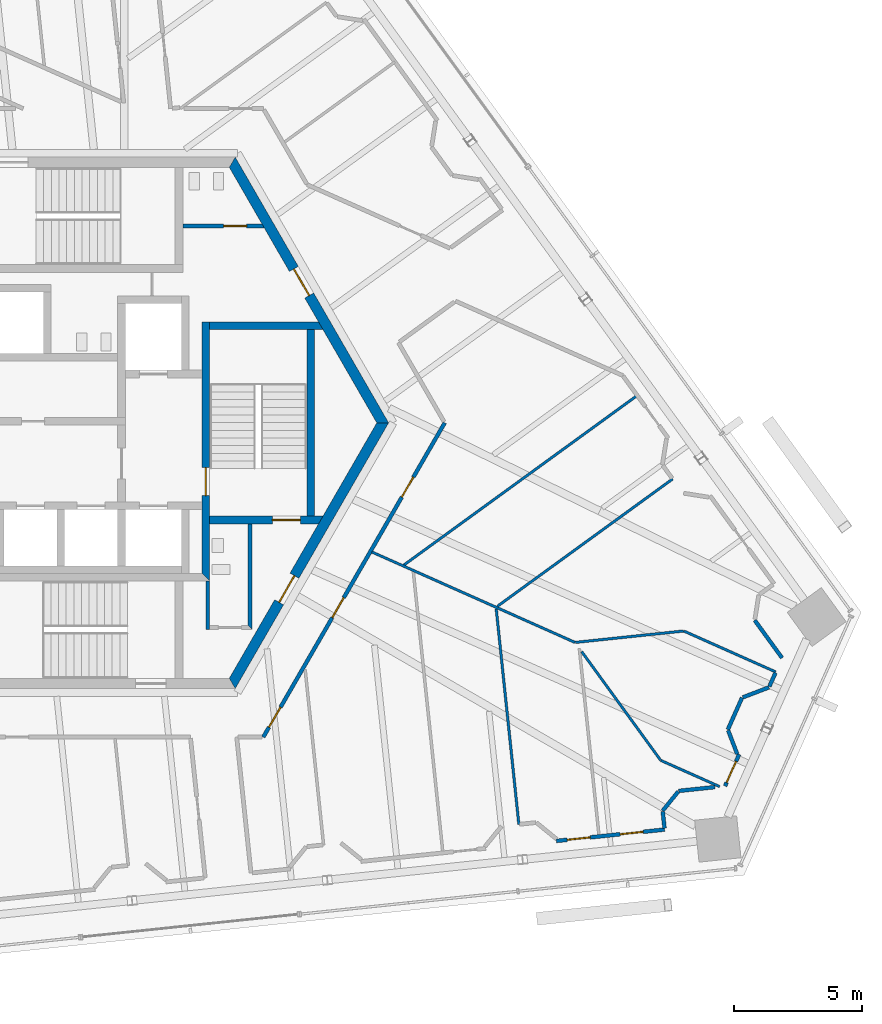
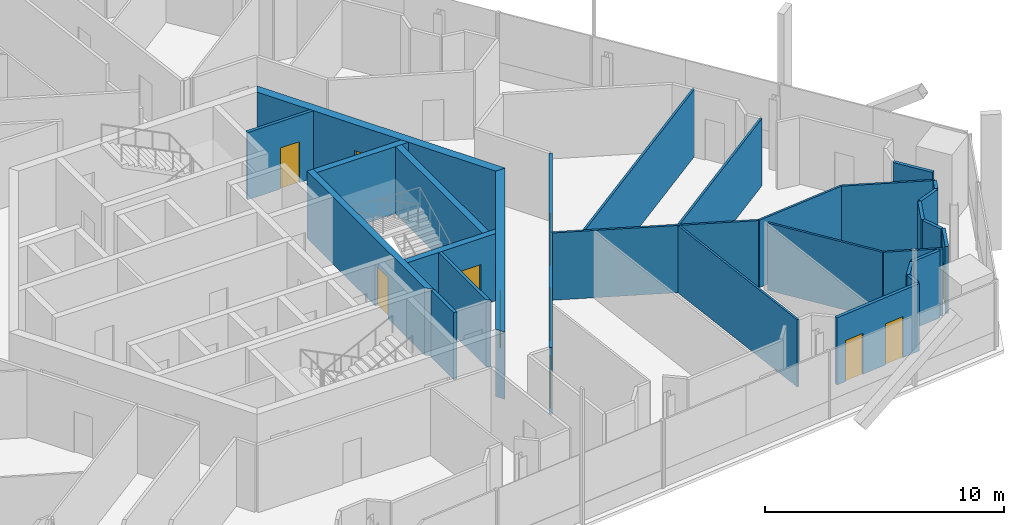
# One storey, part 13 of 21: 28 walls, 11 doors, 11 openings.
"""IFC4 building model written with IfcOpenShell, lengths in metres."""

from ifc_helpers import new_model, si_unit, direction, frame, frame_2d, origin, place, context, subcontext, project, spatial, polyline, rectangle, outline, extrude, source, transform, mapped, material, layer, layer_set, type_object, element, fill, save


model = new_model("IFC4")

# Units and contexts
model_context = context("Model", 3, precision=1e-05, world=origin(), true_north=direction((0.0, 1.0)))
body_context = subcontext(model_context, "Body", "Model", "MODEL_VIEW")
ifc_project = project(units=[si_unit("LENGTHUNIT", "METRE"), si_unit("AREAUNIT", "SQUARE_METRE"), si_unit("VOLUMEUNIT", "CUBIC_METRE"), si_unit("PLANEANGLEUNIT", "RADIAN"), si_unit("MASSUNIT", "GRAM", prefix="KILO")], contexts=[model_context])

# Site, building, storey
site_placement = place(None, origin())
site = spatial("IfcSite", under=ifc_project, at=site_placement, CompositionType="ELEMENT")
building_placement = place(site_placement, origin())
building = spatial("IfcBuilding", under=site, at=building_placement, Name="Triune Harvest Tower", CompositionType="ELEMENT")
storey_placement = place(building_placement, frame((0.0, 0.0, 248.5)))
storey = spatial("IfcBuildingStorey", under=building, at=storey_placement, Name="L65", CompositionType="ELEMENT", Elevation=248.5)

# Walls
ifc_material_1 = material(Name="Gypsum board on steel studs", Category="steel")
ifc_layer_1 = layer(ifc_material_1, 0.14990234375)
ifc_layer_set_1 = layer_set([ifc_layer_1], Name="Gypsum board on steel studs")
wall_type_1 = type_object("IfcWallType", Name="Fire Partition 150 mm", PredefinedType="PARTITIONING", material=ifc_layer_set_1)
wall_1_placement = place(storey_placement, frame((26.318359375, -7.720703125, 0.0), z_axis=(0.0, 0.0, 1.0), x_axis=(0.587749221943, -0.80904317073, 0.0)))
element("IfcWall", 1, at=wall_1_placement, inside=storey, type_object=wall_type_1, Name="Partition L65 031", PredefinedType="PARTITIONING", context=body_context, shape_type="SweptSolid", body=[
    extrude(rectangle(XDim=1.821533203125, YDim=0.14990234375, at=frame_2d((0.91064453125, 0.0))), origin(), (0.0, 0.0, 1.0), 3.43994140625),
])
wall_2_placement = place(storey_placement, frame((23.34716796875, -14.3955078125, 0.0), z_axis=(0.0, 0.0, 1.0), x_axis=(0.994534631526, 0.104407215727, 0.0)))
element("IfcWall", 2, at=wall_2_placement, inside=storey, type_object=wall_type_1, Name="Partition L65 084", PredefinedType="PARTITIONING", context=body_context, shape_type="SweptSolid", body=[
    extrude(rectangle(XDim=1.41943359375, YDim=0.14990234375, at=frame_2d((0.709716796875, 0.0))), origin(), (0.0, 0.0, 1.0), 3.43994140625),
])
wall_3_placement = place(storey_placement, frame((25.851318359375, -10.738525390625, 0.0), z_axis=(0.0, 0.0, 1.0), x_axis=(0.933608704011, 0.358294275415, 0.0)))
element("IfcWall", 3, at=wall_3_placement, inside=storey, type_object=wall_type_1, Name="Partition L65 090", PredefinedType="PARTITIONING", context=body_context, shape_type="SweptSolid", body=[
    extrude(rectangle(XDim=1.09912109375, YDim=0.14990234375, at=frame_2d((0.549560546875, 0.0))), origin(), (0.0, 0.0, 1.0), 3.43994140625),
])
wall_4_placement = place(storey_placement, frame((22.71875, -15.172119140625, 0.0), z_axis=(0.0, 0.0, 1.0), x_axis=(0.629205483323, 0.777238997836, 0.0)))
element("IfcWall", 4, at=wall_4_placement, inside=storey, type_object=wall_type_1, Name="Partition L65 111", PredefinedType="PARTITIONING", context=body_context, shape_type="SweptSolid", body=[
    extrude(rectangle(XDim=0.968017578125, YDim=0.14990234375, at=frame_2d((0.48388671875, 0.0))), origin(), (0.0, 0.0, 1.0), 3.43994140625),
])

# Wall, opening, door
wall_5_placement = place(storey_placement, frame((25.158203125, -14.206298828125, 0.0), z_axis=(0.0, 0.0, 1.0), x_axis=(0.406656178882, 0.913581278364, 0.0)))
wall_5 = element("IfcWall", 5, at=wall_5_placement, inside=storey, type_object=wall_type_1, Name="Partition L65 120", PredefinedType="PARTITIONING", context=body_context, shape_type="SweptSolid", body=[
    extrude(rectangle(XDim=1.356201171875, YDim=0.14990234375, at=frame_2d((0.67822265625, 0.0))), origin(), (0.0, 0.0, 1.0), 3.43994140625),
])
opening_1_placement = place(wall_5_placement, frame((0.156005859375, 0.0, 0.0)))
opening_1 = element("IfcOpeningElement", 6, at=opening_1_placement, cuts=wall_5, Name="Opening L65-027", PredefinedType="OPENING", context=body_context, shape_type="SweptSolid", body=[
    extrude(rectangle(XDim=0.89990234375, YDim=2.10009765625, at=frame_2d((0.449951171875, 1.050048828125))), frame((0.0, 0.0849609375, 0.0), z_axis=(0.0, -1.0, 0.0), x_axis=(1.0, 0.0, 0.0)), (0.0, 0.0, 1.0), 0.169921875),
])
ifc_material_2 = material(Name="Timber and steel door set", Category="steel")
door_type_1 = type_object("IfcDoorType", Name="Single leaf door FD30 left hand 900 x 2100", OperationType="SINGLE_SWING_LEFT", PredefinedType="DOOR", material=ifc_material_2)
door_1_placement = place(opening_1_placement, origin())
door_1 = element("IfcDoor", 7, at=door_1_placement, inside=storey, type_object=door_type_1, Name="Door L65-027 Meeting Room 65.27", OperationType="SINGLE_SWING_LEFT", OverallHeight=2.10009765625, OverallWidth=0.89990234375, PredefinedType="DOOR", context=body_context, shape_type="SweptSolid", body=[
    extrude(rectangle(XDim=0.89990234375, YDim=2.10009765625, at=frame_2d((0.449951171875, 1.050048828125))), frame((0.0, 0.02490234375, 0.0), z_axis=(0.0, -1.0, 0.0), x_axis=(1.0, 0.0, 0.0)), (0.0, 0.0, 1.0), 0.050048828125),
])
fill(opening_1, door_1)

# Walls
ifc_material_3 = material(Name="Gypsum board on steel studs", Category="steel")
ifc_layer_2 = layer(ifc_material_3, 0.10009765625)
ifc_layer_set_2 = layer_set([ifc_layer_2], Name="Gypsum board on steel studs")
wall_type_2 = type_object("IfcWallType", Name="Partition 100 mm", PredefinedType="PARTITIONING", material=ifc_layer_set_2)
wall_6_placement = place(storey_placement, frame((19.548095703125, -8.94384765625, 0.0), z_axis=(0.0, 0.0, 1.0), x_axis=(0.587757874467, -0.809036884822, 0.0)))
element("IfcWall", 8, at=wall_6_placement, inside=storey, type_object=wall_type_2, Name="Partition L65 029", PredefinedType="PARTITIONING", context=body_context, shape_type="SweptSolid", body=[
    extrude(rectangle(XDim=5.2626953125, YDim=0.10009765625, at=frame_2d((2.63134765625, 0.0))), origin(), (0.0, 0.0, 1.0), 3.43994140625),
])
wall_7_placement = place(storey_placement, frame((11.34619140625, -5.051513671875, 0.0), z_axis=(0.0, 0.0, 1.0), x_axis=(0.913558979262, -0.406706271662, 0.0)))
element("IfcWall", 9, at=wall_7_placement, inside=storey, type_object=wall_type_2, Name="Partition L65 053", PredefinedType="PARTITIONING", context=body_context, shape_type="SweptSolid", body=[
    extrude(rectangle(XDim=8.69580078125, YDim=0.10009765625, at=frame_2d((4.347900390625, 0.0))), origin(), (0.0, 0.0, 1.0), 3.43994140625),
])
wall_8_placement = place(storey_placement, frame((23.55224609375, -8.1455078125, 0.0), z_axis=(0.0, 0.0, 1.0), x_axis=(0.913547646392, -0.406731727029, 0.0)))
element("IfcWall", 10, at=wall_8_placement, inside=storey, type_object=wall_type_2, Name="Partition L65 054", PredefinedType="PARTITIONING", context=body_context, shape_type="SweptSolid", body=[
    extrude(rectangle(XDim=3.93212890625, YDim=0.10009765625, at=frame_2d((1.966064453125, 0.0))), origin(), (0.0, 0.0, 1.0), 3.43994140625),
])
wall_9_placement = place(storey_placement, frame((19.300048828125, -8.587646484375, 0.0), z_axis=(0.0, 0.0, 1.0), x_axis=(0.994520179719, 0.10454478529, 0.0)))
element("IfcWall", 11, at=wall_9_placement, inside=storey, type_object=wall_type_2, Name="Partition L65 086", PredefinedType="PARTITIONING", context=body_context, shape_type="SweptSolid", body=[
    extrude(rectangle(XDim=4.2666015625, YDim=0.10009765625, at=frame_2d((2.13330078125, 0.0))), origin(), (0.0, 0.0, 1.0), 3.43994140625),
])
wall_10_placement = place(storey_placement, frame((12.556396484375, -5.59033203125, 0.0), z_axis=(0.0, 0.0, 1.0), x_axis=(0.809019236589, 0.587782166138, 0.0)))
element("IfcWall", 12, at=wall_10_placement, inside=storey, type_object=wall_type_2, Name="Partition L65 099", PredefinedType="PARTITIONING", context=body_context, shape_type="SweptSolid", body=[
    extrude(rectangle(XDim=11.3310546875, YDim=0.10009765625, at=frame_2d((5.66552734375, 0.0))), origin(), (0.0, 0.0, 1.0), 3.43994140625),
])

# Wall, opening, door
ifc_material_4 = material(Name="Concrete 70 MPa", Category="concrete")
ifc_layer_3 = layer(ifc_material_4, 0.39990234375)
ifc_layer_set_3 = layer_set([ifc_layer_3], Name="Concrete 70 MPa")
wall_type_3 = type_object("IfcWallType", Name="Core wall 400", PredefinedType="SHEAR", material=ifc_layer_set_3)
shared_shape_1 = source(origin(), body_context, "Body", "SweptSolid", [
    extrude(outline(polyline([(-0.115478515625, -0.199951171875), (11.884521484375, -0.199951171875), (11.653564453125, 0.199951171875), (0.115478515625, 0.199951171875), (-0.115478515625, -0.199951171875)])), origin(), (0.0, 0.0, 1.0), 3.43994140625),
])
wall_11_placement = place(storey_placement, frame((11.76904296875, 0.0, 0.0), z_axis=(0.0, 0.0, 1.0), x_axis=(-0.499996592174, 0.866027371285, 0.0)))
wall_11 = element("IfcWall", 13, at=wall_11_placement, inside=storey, type_object=wall_type_3, Name="Hexagon 0 wall", PredefinedType="SHEAR", context=body_context, shape_type="MappedRepresentation", body=[
    mapped(shared_shape_1, transform((0.0, 0.0, 0.0), scale=1.0)),
])
opening_2_placement = place(wall_11_placement, frame((5.75048828125, 0.0, 0.0)))
opening_2 = element("IfcOpeningElement", 14, at=opening_2_placement, cuts=wall_11, Name="Opening CD-WCP", PredefinedType="OPENING", context=body_context, shape_type="SweptSolid", body=[
    extrude(rectangle(XDim=1.199951171875, YDim=2.10009765625, at=frame_2d((0.60009765625, 1.050048828125))), frame((0.0, 0.2099609375, 0.0), z_axis=(0.0, -1.0, 0.0), x_axis=(1.0, 0.0, 0.0)), (0.0, 0.0, 1.0), 0.419921875),
])
ifc_material_5 = material(Name="Steel S235", Category="steel")
door_type_2 = type_object("IfcDoorType", Name="Lobby door 1200 FD120", OperationType="SINGLE_SWING_LEFT", PredefinedType="DOOR", material=ifc_material_5)
door_2_placement = place(opening_2_placement, frame((1.199951171875, 0.0, 0.0), z_axis=(0.0, 0.0, 1.0), x_axis=(-1.0, 0.0, 0.0)))
door_2 = element("IfcDoor", 15, at=door_2_placement, inside=storey, type_object=door_type_2, Name="Door CD-WCP", OperationType="SINGLE_SWING_RIGHT", OverallHeight=2.10009765625, OverallWidth=1.199951171875, PredefinedType="DOOR", context=body_context, shape_type="SweptSolid", body=[
    extrude(rectangle(XDim=1.199951171875, YDim=2.10009765625, at=frame_2d((0.60009765625, 1.050048828125))), frame((0.0, 0.02490234375, 0.0), z_axis=(0.0, -1.0, 0.0), x_axis=(1.0, 0.0, 0.0)), (0.0, 0.0, 1.0), 0.050048828125),
])
fill(opening_2, door_2)

wall_12_placement = place(storey_placement, frame((5.884521484375, -10.1923828125, 0.0), z_axis=(0.0, 0.0, 1.0), x_axis=(0.499996592174, 0.866027371285, 0.0)))
wall_12 = element("IfcWall", 16, at=wall_12_placement, inside=storey, type_object=wall_type_3, Name="Hexagon 5 wall", PredefinedType="SHEAR", context=body_context, shape_type="MappedRepresentation", body=[
    mapped(shared_shape_1, transform((0.0, 0.0, 0.0), scale=1.0)),
])
opening_3_placement = place(wall_12_placement, frame((3.66455078125, 0.0, 0.0)))
opening_3 = element("IfcOpeningElement", 17, at=opening_3_placement, cuts=wall_12, Name="Opening CD-DP", PredefinedType="OPENING", context=body_context, shape_type="SweptSolid", body=[
    extrude(rectangle(XDim=1.199951171875, YDim=2.10009765625, at=frame_2d((0.60009765625, 1.050048828125))), frame((0.0, 0.2099609375, 0.0), z_axis=(0.0, -1.0, 0.0), x_axis=(1.0, 0.0, 0.0)), (0.0, 0.0, 1.0), 0.419921875),
])
ifc_material_6 = material(Name="Steel S235", Category="steel")
door_type_3 = type_object("IfcDoorType", Name="Stair door 1200 FD120", OperationType="SINGLE_SWING_LEFT", PredefinedType="DOOR", material=ifc_material_6)
door_3_placement = place(opening_3_placement, frame((1.199951171875, 0.0, 0.0), z_axis=(0.0, 0.0, 1.0), x_axis=(-1.0, 0.0, 0.0)))
door_3 = element("IfcDoor", 18, at=door_3_placement, inside=storey, type_object=door_type_3, Name="Door CD-DP", OperationType="SINGLE_SWING_RIGHT", OverallHeight=2.10009765625, OverallWidth=1.199951171875, PredefinedType="DOOR", context=body_context, shape_type="SweptSolid", body=[
    extrude(rectangle(XDim=1.199951171875, YDim=2.10009765625, at=frame_2d((0.60009765625, 1.050048828125))), frame((0.0, 0.02490234375, 0.0), z_axis=(0.0, -1.0, 0.0), x_axis=(1.0, 0.0, 0.0)), (0.0, 0.0, 1.0), 0.050048828125),
])
fill(opening_3, door_3)

ifc_material_7 = material(Name="Concrete 70 MPa", Category="concrete")
ifc_layer_4 = layer(ifc_material_7, 0.300048828125)
ifc_layer_set_4 = layer_set([ifc_layer_4], Name="Concrete 70 MPa")
wall_type_4 = type_object("IfcWallType", Name="Core wall 300", PredefinedType="SHEAR", material=ifc_layer_set_4)
shared_shape_2 = source(origin(), body_context, "Body", "SweptSolid", [
    extrude(outline(polyline([(-0.14990234375, -0.14990234375), (9.989990234375, -0.14990234375), (9.989990234375, 0.14990234375), (0.14990234375, 0.14990234375), (-0.14990234375, -0.14990234375)])), origin(), (0.0, 0.0, 1.0), 3.43994140625),
])
wall_13_placement = place(storey_placement, frame((4.85009765625, -6.0400390625, 0.0), z_axis=(0.0, 0.0, 1.0), x_axis=(0.0, 1.0, 0.0)))
wall_13 = element("IfcWall", 19, at=wall_13_placement, inside=storey, type_object=wall_type_4, Name="Stair e west wall", PredefinedType="SHEAR", context=body_context, shape_type="MappedRepresentation", body=[
    mapped(shared_shape_2, transform((0.0, 0.0, 0.0), scale=1.0)),
])
opening_4_placement = place(wall_13_placement, frame((3.18994140625, 0.0, 0.0)))
opening_4 = element("IfcOpeningElement", 20, at=opening_4_placement, cuts=wall_13, Name="Opening CD-S3L", PredefinedType="OPENING", context=body_context, shape_type="SweptSolid", body=[
    extrude(rectangle(XDim=1.10009765625, YDim=2.10009765625, at=frame_2d((0.550048828125, 1.050048828125))), frame((0.0, 0.16015625, 0.0), z_axis=(0.0, -1.0, 0.0), x_axis=(1.0, 0.0, 0.0)), (0.0, 0.0, 1.0), 0.320068359375),
])
ifc_material_8 = material(Name="Steel S235", Category="steel")
door_type_4 = type_object("IfcDoorType", Name="Stair door 1100 FD120", OperationType="SINGLE_SWING_LEFT", PredefinedType="DOOR", material=ifc_material_8)
door_4_placement = place(opening_4_placement, frame((1.10009765625, 0.0, 0.0), z_axis=(0.0, 0.0, 1.0), x_axis=(-1.0, 0.0, 0.0)))
door_4 = element("IfcDoor", 21, at=door_4_placement, inside=storey, type_object=door_type_4, Name="Door CD-S3L", OperationType="SINGLE_SWING_RIGHT", OverallHeight=2.10009765625, OverallWidth=1.10009765625, PredefinedType="DOOR", context=body_context, shape_type="SweptSolid", body=[
    extrude(rectangle(XDim=1.10009765625, YDim=2.10009765625, at=frame_2d((0.550048828125, 1.050048828125))), frame((0.0, 0.02490234375, 0.0), z_axis=(0.0, -1.0, 0.0), x_axis=(1.0, 0.0, 0.0)), (0.0, 0.0, 1.0), 0.050048828125),
])
fill(opening_4, door_4)

# Wall
shared_shape_3 = source(origin(), body_context, "Body", "SweptSolid", [
    extrude(outline(polyline([(0.0, -0.14990234375), (0.0, 0.14990234375), (4.260009765625, 0.14990234375), (4.43310546875, -0.14990234375), (0.0, -0.14990234375)])), origin(), (0.0, 0.0, 1.0), 3.43994140625),
])
wall_14_placement = place(storey_placement, frame((5.0, 3.800048828125, 0.0), z_axis=(0.0, 0.0, 1.0), x_axis=(1.0, 0.0, 0.0)))
element("IfcWall", 22, at=wall_14_placement, inside=storey, type_object=wall_type_4, Name="Stair e north wall", PredefinedType="SHEAR", context=body_context, shape_type="MappedRepresentation", body=[
    mapped(shared_shape_3, transform((0.0, 0.0, 0.0), scale=1.0)),
])

# Wall, opening, door
shared_shape_4 = source(origin(), body_context, "Body", "SweptSolid", [
    extrude(outline(polyline([(0.0, -0.14990234375), (0.0, 0.14990234375), (4.43310546875, 0.14990234375), (4.260009765625, -0.14990234375), (0.0, -0.14990234375)])), origin(), (0.0, 0.0, 1.0), 3.43994140625),
])
wall_15_placement = place(storey_placement, frame((5.0, -3.800048828125, 0.0), z_axis=(0.0, 0.0, 1.0), x_axis=(1.0, 0.0, 0.0)))
wall_15 = element("IfcWall", 23, at=wall_15_placement, inside=storey, type_object=wall_type_4, Name="Stair e south wall", PredefinedType="SHEAR", context=body_context, shape_type="MappedRepresentation", body=[
    mapped(shared_shape_4, transform((0.0, 0.0, 0.0), scale=1.0)),
])
opening_5_placement = place(wall_15_placement, frame((2.449951171875, 0.0, 0.0)))
opening_5 = element("IfcOpeningElement", 24, at=opening_5_placement, cuts=wall_15, Name="Opening CD-S3D", PredefinedType="OPENING", context=body_context, shape_type="SweptSolid", body=[
    extrude(rectangle(XDim=1.10009765625, YDim=2.10009765625, at=frame_2d((0.550048828125, 1.050048828125))), frame((0.0, 0.16015625, 0.0), z_axis=(0.0, -1.0, 0.0), x_axis=(1.0, 0.0, 0.0)), (0.0, 0.0, 1.0), 0.320068359375),
])
door_5_placement = place(opening_5_placement, frame((1.10009765625, 0.0, 0.0), z_axis=(0.0, 0.0, 1.0), x_axis=(-1.0, 0.0, 0.0)))
door_5 = element("IfcDoor", 25, at=door_5_placement, inside=storey, type_object=door_type_4, Name="Door CD-S3D", OperationType="SINGLE_SWING_RIGHT", OverallHeight=2.10009765625, OverallWidth=1.10009765625, PredefinedType="DOOR", context=body_context, shape_type="SweptSolid", body=[
    extrude(rectangle(XDim=1.10009765625, YDim=2.10009765625, at=frame_2d((0.550048828125, 1.050048828125))), frame((0.0, 0.02490234375, 0.0), z_axis=(0.0, -1.0, 0.0), x_axis=(1.0, 0.0, 0.0)), (0.0, 0.0, 1.0), 0.050048828125),
])
fill(opening_5, door_5)

# Walls
shared_shape_5 = source(origin(), body_context, "Body", "SweptSolid", [
    extrude(rectangle(XDim=7.2998046875, YDim=0.300048828125, at=frame_2d((3.64990234375, 0.0))), origin(), (0.0, 0.0, 1.0), 3.43994140625),
])
wall_16_placement = place(storey_placement, frame((8.949951171875, -3.64990234375, 0.0), z_axis=(0.0, 0.0, 1.0), x_axis=(0.0, 1.0, 0.0)))
element("IfcWall", 26, at=wall_16_placement, inside=storey, type_object=wall_type_4, Name="Stair e east wall", PredefinedType="SHEAR", context=body_context, shape_type="MappedRepresentation", body=[
    mapped(shared_shape_5, transform((0.0, 0.0, 0.0), scale=1.0)),
])
ifc_material_9 = material(Name="Concrete masonry unit", Category="masonry")
ifc_layer_5 = layer(ifc_material_9, 0.14990234375)
ifc_layer_set_5 = layer_set([ifc_layer_5], Name="Concrete masonry unit")
wall_type_5 = type_object("IfcWallType", Name="Block partition 150 unrated", PredefinedType="PARTITIONING", material=ifc_layer_set_5)
shared_shape_6 = source(origin(), body_context, "Body", "SweptSolid", [
    extrude(outline(polyline([(-0.074951171875, -0.074951171875), (4.050048828125, -0.074951171875), (4.050048828125, 0.074951171875), (0.074951171875, 0.074951171875), (-0.074951171875, -0.074951171875)])), origin(), (0.0, 0.0, 1.0), 3.43994140625),
])
wall_17_placement = place(storey_placement, frame((6.574951171875, -8.0, 0.0), z_axis=(0.0, 0.0, 1.0), x_axis=(0.0, 1.0, 0.0)))
element("IfcWall", 27, at=wall_17_placement, inside=storey, type_object=wall_type_5, Name="Wc acc east wall", PredefinedType="PARTITIONING", context=body_context, shape_type="MappedRepresentation", body=[
    mapped(shared_shape_6, transform((0.0, 0.0, 0.0), scale=1.0)),
])
shared_shape_7 = source(origin(), body_context, "Body", "SweptSolid", [
    extrude(rectangle(XDim=1.885009765625, YDim=0.14990234375, at=frame_2d((0.9423828125, 0.0))), origin(), (0.0, 0.0, 1.0), 3.43994140625),
])
wall_18_placement = place(storey_placement, frame((4.925048828125, -8.074951171875, 0.0), z_axis=(0.0, 0.0, 1.0), x_axis=(0.0, 1.0, 0.0)))
element("IfcWall", 28, at=wall_18_placement, inside=storey, type_object=wall_type_5, Name="Wc acc west wall", PredefinedType="PARTITIONING", context=body_context, shape_type="MappedRepresentation", body=[
    mapped(shared_shape_7, transform((0.0, 0.0, 0.0), scale=1.0)),
])

# Wall, opening, door
shared_shape_8 = source(origin(), body_context, "Body", "SweptSolid", [
    extrude(outline(polyline([(0.0, -0.074951171875), (0.0, 0.074951171875), (3.1015625, 0.074951171875), (3.18798828125, -0.074951171875), (0.0, -0.074951171875)])), origin(), (0.0, 0.0, 1.0), 3.43994140625),
])
wall_19_placement = place(storey_placement, frame((3.949951171875, 7.699951171875, 0.0), z_axis=(0.0, 0.0, 1.0), x_axis=(1.0, 0.0, 0.0)))
wall_19 = element("IfcWall", 29, at=wall_19_placement, inside=storey, type_object=wall_type_5, Name="Wc women south wall", PredefinedType="PARTITIONING", context=body_context, shape_type="MappedRepresentation", body=[
    mapped(shared_shape_8, transform((0.0, 0.0, 0.0), scale=1.0)),
])
opening_6_placement = place(wall_19_placement, frame((1.60009765625, 0.0, 0.0)))
opening_6 = element("IfcOpeningElement", 30, at=opening_6_placement, cuts=wall_19, Name="Opening CD-WW", PredefinedType="OPENING", context=body_context, shape_type="SweptSolid", body=[
    extrude(rectangle(XDim=0.89990234375, YDim=2.10009765625, at=frame_2d((0.449951171875, 1.050048828125))), frame((0.0, 0.0849609375, 0.0), z_axis=(0.0, -1.0, 0.0), x_axis=(1.0, 0.0, 0.0)), (0.0, 0.0, 1.0), 0.169921875),
])
ifc_material_10 = material(Name="Timber C24", Category="wood")
door_type_5 = type_object("IfcDoorType", Name="WC door 900", OperationType="SINGLE_SWING_LEFT", PredefinedType="DOOR", material=ifc_material_10)
door_6_placement = place(opening_6_placement, origin())
door_6 = element("IfcDoor", 31, at=door_6_placement, inside=storey, type_object=door_type_5, Name="Door CD-WW", OperationType="SINGLE_SWING_LEFT", OverallHeight=2.10009765625, OverallWidth=0.89990234375, PredefinedType="DOOR", context=body_context, shape_type="SweptSolid", body=[
    extrude(rectangle(XDim=0.89990234375, YDim=2.10009765625, at=frame_2d((0.449951171875, 1.050048828125))), frame((0.0, 0.02490234375, 0.0), z_axis=(0.0, -1.0, 0.0), x_axis=(1.0, 0.0, 0.0)), (0.0, 0.0, 1.0), 0.050048828125),
])
fill(opening_6, door_6)

# Wall, openings, doors
shared_shape_9 = source(origin(), body_context, "Body", "SweptSolid", [
    extrude(rectangle(XDim=14.194091796875, YDim=0.14990234375, at=frame_2d((7.09716796875, 0.0))), origin(), (0.0, 0.0, 1.0), 3.43994140625),
])
wall_20_placement = place(storey_placement, frame((7.096923828125, -12.29248046875, 0.0), z_axis=(0.0, 0.0, 1.0), x_axis=(0.499992439803, 0.866029768622, 0.0)))
wall_20 = element("IfcWall", 32, at=wall_20_placement, inside=storey, type_object=wall_type_1, Name="Partition L65 118", PredefinedType="PARTITIONING", context=body_context, shape_type="MappedRepresentation", body=[
    mapped(shared_shape_9, transform((0.0, 0.0, 0.0), scale=1.0)),
])
opening_7_placement = place(wall_20_placement, frame((10.839111328125, 0.0, 0.0)))
opening_7 = element("IfcOpeningElement", 33, at=opening_7_placement, cuts=wall_20, Name="Opening L65-002", PredefinedType="OPENING", context=body_context, shape_type="SweptSolid", body=[
    extrude(rectangle(XDim=0.89990234375, YDim=2.10009765625, at=frame_2d((0.449951171875, 1.050048828125))), frame((0.0, 0.0849609375, 0.0), z_axis=(0.0, -1.0, 0.0), x_axis=(1.0, 0.0, 0.0)), (0.0, 0.0, 1.0), 0.169921875),
])
opening_8_placement = place(wall_20_placement, frame((0.4501953125, 0.0, 0.0)))
opening_8 = element("IfcOpeningElement", 34, at=opening_8_placement, cuts=wall_20, Name="Opening L65-022", PredefinedType="OPENING", context=body_context, shape_type="SweptSolid", body=[
    extrude(rectangle(XDim=0.89990234375, YDim=2.10009765625, at=frame_2d((0.449951171875, 1.050048828125))), frame((0.0, 0.0849609375, 0.0), z_axis=(0.0, -1.0, 0.0), x_axis=(1.0, 0.0, 0.0)), (0.0, 0.0, 1.0), 0.169921875),
])
opening_9_placement = place(wall_20_placement, frame((5.393310546875, 0.0, 0.0)))
opening_9 = element("IfcOpeningElement", 35, at=opening_9_placement, cuts=wall_20, Name="Opening L65-023", PredefinedType="OPENING", context=body_context, shape_type="SweptSolid", body=[
    extrude(rectangle(XDim=0.89990234375, YDim=2.10009765625, at=frame_2d((0.449951171875, 1.050048828125))), frame((0.0, 0.0849609375, 0.0), z_axis=(0.0, -1.0, 0.0), x_axis=(1.0, 0.0, 0.0)), (0.0, 0.0, 1.0), 0.169921875),
])
door_7_placement = place(opening_7_placement, origin())
door_7 = element("IfcDoor", 36, at=door_7_placement, inside=storey, type_object=door_type_1, Name="Door L65-002 Project Room 65.02", OperationType="SINGLE_SWING_LEFT", OverallHeight=2.10009765625, OverallWidth=0.89990234375, PredefinedType="DOOR", context=body_context, shape_type="SweptSolid", body=[
    extrude(rectangle(XDim=0.89990234375, YDim=2.10009765625, at=frame_2d((0.449951171875, 1.050048828125))), frame((0.0, 0.02490234375, 0.0), z_axis=(0.0, -1.0, 0.0), x_axis=(1.0, 0.0, 0.0)), (0.0, 0.0, 1.0), 0.050048828125),
])
fill(opening_7, door_7)
ifc_material_11 = material(Name="Timber and steel door set", Category="steel")
door_type_6 = type_object("IfcDoorType", Name="Single leaf door FD30 right hand 900 x 2100", OperationType="SINGLE_SWING_RIGHT", PredefinedType="DOOR", material=ifc_material_11)
door_8_placement = place(opening_8_placement, origin())
door_8 = element("IfcDoor", 37, at=door_8_placement, inside=storey, type_object=door_type_6, Name="Door L65-022 Meeting Room 65.22", OperationType="SINGLE_SWING_RIGHT", OverallHeight=2.10009765625, OverallWidth=0.89990234375, PredefinedType="DOOR", context=body_context, shape_type="SweptSolid", body=[
    extrude(rectangle(XDim=0.89990234375, YDim=2.10009765625, at=frame_2d((0.449951171875, 1.050048828125))), frame((0.0, 0.02490234375, 0.0), z_axis=(0.0, -1.0, 0.0), x_axis=(1.0, 0.0, 0.0)), (0.0, 0.0, 1.0), 0.050048828125),
])
fill(opening_8, door_8)
door_9_placement = place(opening_9_placement, origin())
door_9 = element("IfcDoor", 38, at=door_9_placement, inside=storey, type_object=door_type_6, Name="Door L65-023 Office 65.23", OperationType="SINGLE_SWING_RIGHT", OverallHeight=2.10009765625, OverallWidth=0.89990234375, PredefinedType="DOOR", context=body_context, shape_type="SweptSolid", body=[
    extrude(rectangle(XDim=0.89990234375, YDim=2.10009765625, at=frame_2d((0.449951171875, 1.050048828125))), frame((0.0, 0.02490234375, 0.0), z_axis=(0.0, -1.0, 0.0), x_axis=(1.0, 0.0, 0.0)), (0.0, 0.0, 1.0), 0.050048828125),
])
fill(opening_9, door_9)

# Walls
shared_shape_10 = source(origin(), body_context, "Body", "SweptSolid", [
    extrude(rectangle(XDim=8.4677734375, YDim=0.10009765625, at=frame_2d((4.23388671875, 0.0))), origin(), (0.0, 0.0, 1.0), 3.43994140625),
])
for number, where, z_axis, x_axis, name in (
    (39, (16.208984375, -7.282958984375, 0.0), (0.0, 0.0, 1.0), (0.104515188959, -0.994523290465, 0.0), "Partition L65 011"),
    (40, (16.25830078125, -7.172119140625, 0.0), (0.0, 0.0, 1.0), (0.809027734136, 0.587770469996, 0.0), "Partition L65 098"),
):
    element("IfcWall", number, at=place(storey_placement, frame(where, z_axis=z_axis, x_axis=x_axis)), inside=storey, type_object=wall_type_2, Name=name, PredefinedType="PARTITIONING", context=body_context, shape_type="MappedRepresentation", body=[
        mapped(shared_shape_10, transform((0.0, 0.0, 0.0), scale=1.0)),
    ])
shared_shape_11 = source(origin(), body_context, "Body", "SweptSolid", [
    extrude(rectangle(XDim=0.65966796875, YDim=0.14990234375, at=frame_2d((0.329833984375, 0.0))), origin(), (0.0, 0.0, 1.0), 3.43994140625),
])
wall_21_placement = place(storey_placement, frame((22.7216796875, -15.201904296875, 0.0), z_axis=(0.0, 0.0, 1.0), x_axis=(0.104742583143, -0.994499367157, 0.0)))
element("IfcWall", 41, at=wall_21_placement, inside=storey, type_object=wall_type_1, Name="Partition L65 013", PredefinedType="PARTITIONING", context=body_context, shape_type="MappedRepresentation", body=[
    mapped(shared_shape_11, transform((0.0, 0.0, 0.0), scale=1.0)),
])
shared_shape_12 = source(origin(), body_context, "Body", "SweptSolid", [
    extrude(rectangle(XDim=0.998779296875, YDim=0.14990234375, at=frame_2d((0.49951171875, 0.0))), origin(), (0.0, 0.0, 1.0), 3.43994140625),
])
wall_22_placement = place(storey_placement, frame((25.2783203125, -12.02587890625, 0.0), z_axis=(0.0, 0.0, 1.0), x_axis=(0.358372903259, -0.93357852493, 0.0)))
element("IfcWall", 42, at=wall_22_placement, inside=storey, type_object=wall_type_1, Name="Partition L65 020", PredefinedType="PARTITIONING", context=body_context, shape_type="MappedRepresentation", body=[
    mapped(shared_shape_12, transform((0.0, 0.0, 0.0), scale=1.0)),
])
shared_shape_13 = source(origin(), body_context, "Body", "SweptSolid", [
    extrude(rectangle(XDim=1.366455078125, YDim=0.14990234375, at=frame_2d((0.68310546875, 0.0))), origin(), (0.0, 0.0, 1.0), 3.43994140625),
])
wall_23_placement = place(storey_placement, frame((25.267578125, -11.997802734375, 0.0), z_axis=(0.0, 0.0, 1.0), x_axis=(0.406818013821, 0.91350922471, 0.0)))
element("IfcWall", 43, at=wall_23_placement, inside=storey, type_object=wall_type_1, Name="Partition L65 122", PredefinedType="PARTITIONING", context=body_context, shape_type="MappedRepresentation", body=[
    mapped(shared_shape_13, transform((0.0, 0.0, 0.0), scale=1.0)),
])

# Wall, openings, doors
shared_shape_14 = source(origin(), body_context, "Body", "SweptSolid", [
    extrude(rectangle(XDim=4.26025390625, YDim=0.14990234375, at=frame_2d((2.130126953125, 0.0))), origin(), (0.0, 0.0, 1.0), 3.43994140625),
])
wall_24_placement = place(storey_placement, frame((18.55908203125, -16.35302734375, 0.0), z_axis=(0.0, 0.0, 1.0), x_axis=(0.994521769657, 0.104529659321, 0.0)))
wall_24 = element("IfcWall", 44, at=wall_24_placement, inside=storey, type_object=wall_type_1, Name="Partition L65 077", PredefinedType="PARTITIONING", context=body_context, shape_type="MappedRepresentation", body=[
    mapped(shared_shape_14, transform((0.0, 0.0, 0.0), scale=1.0)),
])
opening_10_placement = place(wall_24_placement, frame((0.4326171875, 0.0, 0.0)))
opening_10 = element("IfcOpeningElement", 45, at=opening_10_placement, cuts=wall_24, Name="Opening L65-025", PredefinedType="OPENING", context=body_context, shape_type="SweptSolid", body=[
    extrude(rectangle(XDim=0.89990234375, YDim=2.10009765625, at=frame_2d((0.449951171875, 1.050048828125))), frame((0.0, 0.0849609375, 0.0), z_axis=(0.0, -1.0, 0.0), x_axis=(1.0, 0.0, 0.0)), (0.0, 0.0, 1.0), 0.169921875),
])
opening_11_placement = place(wall_24_placement, frame((2.51025390625, 0.0, 0.0)))
opening_11 = element("IfcOpeningElement", 46, at=opening_11_placement, cuts=wall_24, Name="Opening L65-026", PredefinedType="OPENING", context=body_context, shape_type="SweptSolid", body=[
    extrude(rectangle(XDim=0.89990234375, YDim=2.10009765625, at=frame_2d((0.449951171875, 1.050048828125))), frame((0.0, 0.0849609375, 0.0), z_axis=(0.0, -1.0, 0.0), x_axis=(1.0, 0.0, 0.0)), (0.0, 0.0, 1.0), 0.169921875),
])
door_10_placement = place(opening_10_placement, origin())
door_10 = element("IfcDoor", 47, at=door_10_placement, inside=storey, type_object=door_type_1, Name="Door L65-025 Phone room 65.25", OperationType="SINGLE_SWING_LEFT", OverallHeight=2.10009765625, OverallWidth=0.89990234375, PredefinedType="DOOR", context=body_context, shape_type="SweptSolid", body=[
    extrude(rectangle(XDim=0.89990234375, YDim=2.10009765625, at=frame_2d((0.449951171875, 1.050048828125))), frame((0.0, 0.02490234375, 0.0), z_axis=(0.0, -1.0, 0.0), x_axis=(1.0, 0.0, 0.0)), (0.0, 0.0, 1.0), 0.050048828125),
])
fill(opening_10, door_10)
door_11_placement = place(opening_11_placement, origin())
door_11 = element("IfcDoor", 48, at=door_11_placement, inside=storey, type_object=door_type_6, Name="Door L65-026 Meeting Room 65.26", OperationType="SINGLE_SWING_RIGHT", OverallHeight=2.10009765625, OverallWidth=0.89990234375, PredefinedType="DOOR", context=body_context, shape_type="SweptSolid", body=[
    extrude(rectangle(XDim=0.89990234375, YDim=2.10009765625, at=frame_2d((0.449951171875, 1.050048828125))), frame((0.0, 0.02490234375, 0.0), z_axis=(0.0, -1.0, 0.0), x_axis=(1.0, 0.0, 0.0)), (0.0, 0.0, 1.0), 0.050048828125),
])
fill(opening_11, door_11)

# Walls
shared_shape_15 = source(origin(), body_context, "Body", "SweptSolid", [
    extrude(rectangle(XDim=2.51416015625, YDim=0.10009765625, at=frame_2d((1.257080078125, 0.0))), origin(), (0.0, 0.0, 1.0), 3.43994140625),
])
wall_25_placement = place(storey_placement, frame((22.650634765625, -13.20556640625, 0.0), z_axis=(0.0, 0.0, 1.0), x_axis=(0.91357112701, -0.406678983835, 0.0)))
element("IfcWall", 49, at=wall_25_placement, inside=storey, type_object=wall_type_2, Name="Partition L65 051", PredefinedType="PARTITIONING", context=body_context, shape_type="MappedRepresentation", body=[
    mapped(shared_shape_15, transform((0.0, 0.0, 0.0), scale=1.0)),
])
shared_shape_16 = source(origin(), body_context, "Body", "SweptSolid", [
    extrude(rectangle(XDim=0.58740234375, YDim=0.14990234375, at=frame_2d((0.293701171875, 0.0))), origin(), (0.0, 0.0, 1.0), 3.43994140625),
])
wall_26_placement = place(storey_placement, frame((26.892333984375, -10.31103515625, 0.0), z_axis=(0.0, 0.0, 1.0), x_axis=(0.406870988647, 0.913485631303, 0.0)))
element("IfcWall", 50, at=wall_26_placement, inside=storey, type_object=wall_type_1, Name="Partition L65 121", PredefinedType="PARTITIONING", context=body_context, shape_type="MappedRepresentation", body=[
    mapped(shared_shape_16, transform((0.0, 0.0, 0.0), scale=1.0)),
])

save(model, "model.ifc")
